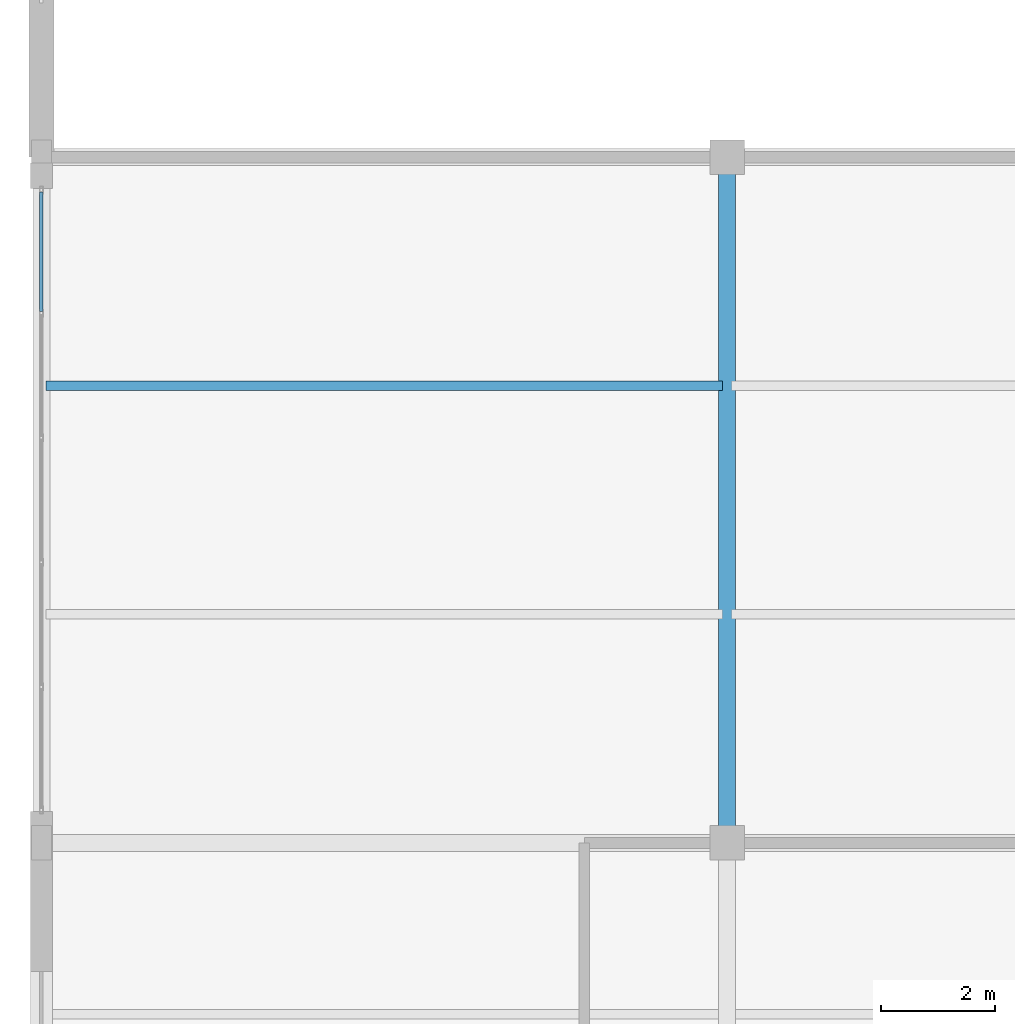
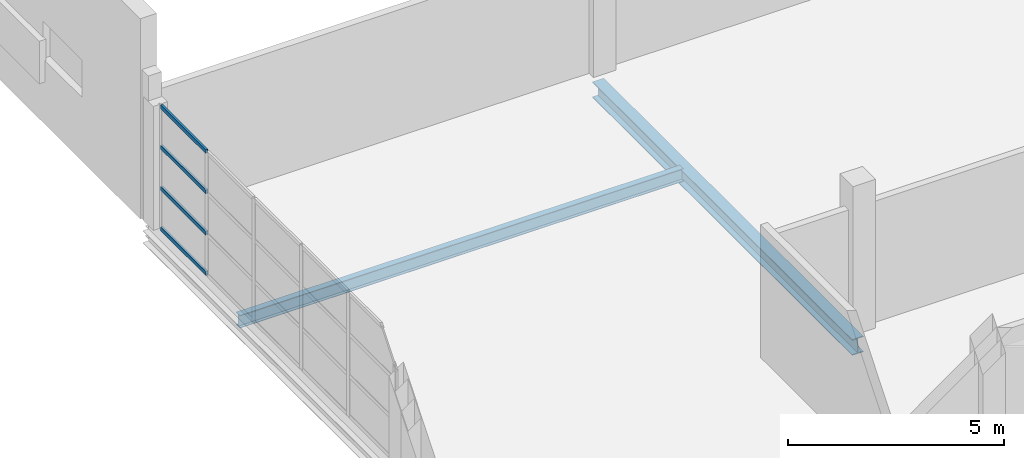
# One storey, part 110 of 147: 4 members, 2 beams, 1 element without a shape of its own.
"""IFC4 building model written with IfcOpenShell, lengths in metres."""

from ifc_helpers import new_model, si_unit, direction, frame, origin, origin_2d, place, context, subcontext, project, spatial, hollow_rectangle, i_section, extrude, material, layer, layer_set, material_profile, profile_set, type_object, element, aggregate, save


model = new_model("IFC4")

# Units and contexts
model_context = context("Model", 3, precision=1e-05, world=origin(), true_north=direction((0.0, 1.0)))
body_context = subcontext(model_context, "Body", "Model", "MODEL_VIEW")
ifc_project = project(units=[si_unit("LENGTHUNIT", "METRE"), si_unit("AREAUNIT", "SQUARE_METRE"), si_unit("VOLUMEUNIT", "CUBIC_METRE"), si_unit("PLANEANGLEUNIT", "RADIAN"), si_unit("MASSUNIT", "GRAM", prefix="KILO")], contexts=[model_context])

# Site, building, storey
site_placement = place(None, origin())
site = spatial("IfcSite", under=ifc_project, at=site_placement, CompositionType="ELEMENT")
building_placement = place(site_placement, origin())
building = spatial("IfcBuilding", under=site, at=building_placement, Name="Zilviju Railside Exhibition Hall", CompositionType="ELEMENT")
storey_placement = place(building_placement, frame((0.0, 0.0, 8.39990234375)))
storey = spatial("IfcBuildingStorey", under=building, at=storey_placement, Name="L03", CompositionType="ELEMENT", Elevation=8.39990234375)

# Beams
ifc_material_1 = material(Name="Steel S355J2", Category="steel")
ifc_material_profile_1 = material_profile(ifc_material_1, i_section(OverallWidth=0.300048828125, OverallDepth=0.449951171875, WebThickness=0.013916015625, FlangeThickness=0.02587890625, at=origin_2d()), Name="HEB 450")
ifc_profile_set_1 = profile_set([ifc_material_profile_1], Name="Steel S355J2")
beam_type_1 = type_object("IfcBeamType", Name="BM-HEB450", PredefinedType="BEAM", material=ifc_profile_set_1)
beam_1_placement = place(storey_placement, frame((12.0, 126.0, -0.574951171875), z_axis=(0.0, 1.0, 0.0), x_axis=(-1.0, 0.0, 0.0)))
element("IfcBeam", 1, at=beam_1_placement, inside=storey, type_object=beam_type_1, Name="Transverse Girder L03 X=12.0 (126.0..138.0)", PredefinedType="BEAM", context=body_context, shape_type="SweptSolid", body=[
    extrude(i_section(OverallWidth=0.300048828125, OverallDepth=0.449951171875, WebThickness=0.013916015625, FlangeThickness=0.02587890625, at=origin_2d()), origin(), (0.0, 0.0, 1.0), 12.0),
])
ifc_material_profile_2 = material_profile(ifc_material_1, i_section(OverallWidth=0.169921875, OverallDepth=0.360107421875, WebThickness=0.008056640625, FlangeThickness=0.0126953125, at=origin_2d()), Name="IPE 360")
ifc_profile_set_2 = profile_set([ifc_material_profile_2], Name="Steel S355J2")
beam_type_2 = type_object("IfcBeamType", Name="BM-IPE360", PredefinedType="JOIST", material=ifc_profile_set_2)
beam_2_placement = place(storey_placement, frame((0.080078125, 134.0, -0.52978515625), z_axis=(1.0, 0.0, 0.0), x_axis=(0.0, 1.0, 0.0)))
element("IfcBeam", 2, at=beam_2_placement, inside=storey, type_object=beam_type_2, Name="Composite Floor Joist L03 Y=134.00 (0.0..12.0)", PredefinedType="JOIST", context=body_context, shape_type="SweptSolid", body=[
    extrude(i_section(OverallWidth=0.169921875, OverallDepth=0.360107421875, WebThickness=0.008056640625, FlangeThickness=0.0126953125, at=origin_2d()), origin(), (0.0, 0.0, 1.0), 11.83984375),
])

# Curtain wall, members
ifc_material_2 = material(Name="Thermally broken aluminium-steel triple-glazed curtain wall", Category="steel")
ifc_layer = layer(ifc_material_2, 0.179931640625)
ifc_layer_set = layer_set([ifc_layer], Name="Thermally broken aluminium-steel triple-glazed curtain wall")
curtain_wall_type = type_object("IfcCurtainWallType", Name="CW-BAY-05", PredefinedType="USERDEFINED", material=ifc_layer_set)
curtain_wall_placement = place(storey_placement, origin())
curtain_wall = element("IfcCurtainWall", 3, at=curtain_wall_placement, inside=storey, type_object=curtain_wall_type, Name="Organisers Wing Jugendstils Erkeri Curtain Wall L03", ObjectType="GLAZED CURTAIN WALL", PredefinedType="USERDEFINED")
ifc_material_3 = material(Name="Thermally broken anodized aluminium transom", Category="aluminium")
ifc_material_profile_3 = material_profile(ifc_material_3, hollow_rectangle(XDim=0.06005859375, YDim=0.110107421875, WallThickness=0.0048828125, at=origin_2d()), Name="TRANSOM 110x60x5")
ifc_profile_set_3 = profile_set([ifc_material_profile_3], Name="Thermally broken anodized aluminium transom")
member_type = type_object("IfcMemberType", Name="CWT-60x110", PredefinedType="USERDEFINED", material=ifc_profile_set_3)
member_1_placement = place(storey_placement, frame((0.0, 135.300048828125, 0.030029296875), z_axis=(0.0, 1.0, 0.0), x_axis=(-1.0, 0.0, 0.0)))
member_1 = element("IfcMember", 4, at=member_1_placement, type_object=member_type, Name="CW-05 transom 5.1", ObjectType="TRANSOM", PredefinedType="USERDEFINED", context=body_context, shape_type="SweptSolid", body=[
    extrude(hollow_rectangle(XDim=0.06005859375, YDim=0.110107421875, WallThickness=0.0048828125, at=origin_2d()), origin(), (0.0, 0.0, 1.0), 2.08984375),
])
member_2_placement = place(storey_placement, frame((0.0, 135.300048828125, 1.1669921875), z_axis=(0.0, 1.0, 0.0), x_axis=(-1.0, 0.0, 0.0)))
member_2 = element("IfcMember", 5, at=member_2_placement, type_object=member_type, Name="CW-05 transom 5.2", ObjectType="TRANSOM", PredefinedType="USERDEFINED", context=body_context, shape_type="SweptSolid", body=[
    extrude(hollow_rectangle(XDim=0.06005859375, YDim=0.110107421875, WallThickness=0.0048828125, at=origin_2d()), origin(), (0.0, 0.0, 1.0), 2.08984375),
])
member_3_placement = place(storey_placement, frame((0.0, 135.300048828125, 2.3330078125), z_axis=(0.0, 1.0, 0.0), x_axis=(-1.0, 0.0, 0.0)))
member_3 = element("IfcMember", 6, at=member_3_placement, type_object=member_type, Name="CW-05 transom 5.3", ObjectType="TRANSOM", PredefinedType="USERDEFINED", context=body_context, shape_type="SweptSolid", body=[
    extrude(hollow_rectangle(XDim=0.06005859375, YDim=0.110107421875, WallThickness=0.0048828125, at=origin_2d()), origin(), (0.0, 0.0, 1.0), 2.08984375),
])
member_4_placement = place(storey_placement, frame((0.0, 135.300048828125, 3.47021484375), z_axis=(0.0, 1.0, 0.0), x_axis=(-1.0, 0.0, 0.0)))
member_4 = element("IfcMember", 7, at=member_4_placement, type_object=member_type, Name="CW-05 transom 5.4", ObjectType="TRANSOM", PredefinedType="USERDEFINED", context=body_context, shape_type="SweptSolid", body=[
    extrude(hollow_rectangle(XDim=0.06005859375, YDim=0.110107421875, WallThickness=0.0048828125, at=origin_2d()), origin(), (0.0, 0.0, 1.0), 2.08984375),
])
aggregate(curtain_wall, [member_1, member_2, member_3, member_4])

save(model, "model.ifc")
